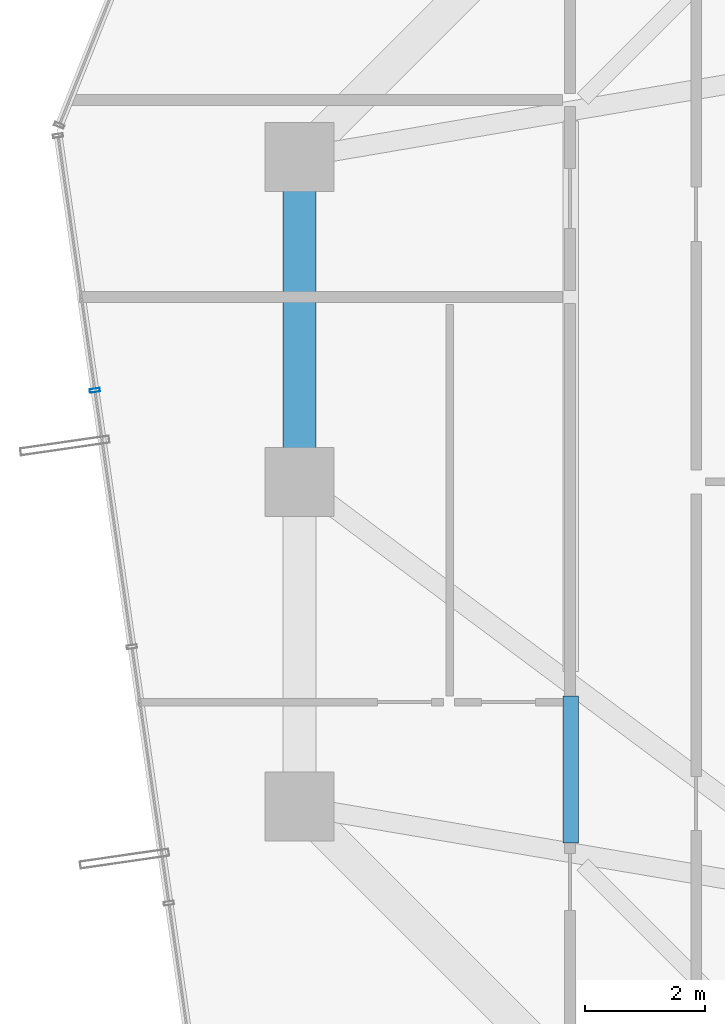
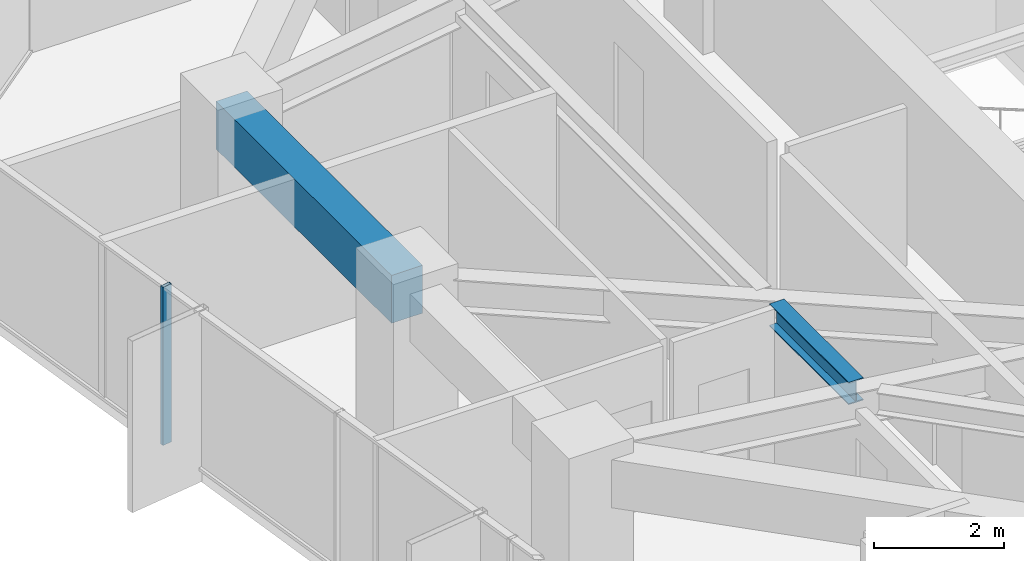
# One storey, part 10 of 34: 2 beams, 1 member, 1 element without a shape of its own.
"""IFC4 building model written with IfcOpenShell, lengths in metres."""

from ifc_helpers import new_model, si_unit, direction, frame, origin, origin_2d, place, context, subcontext, project, spatial, rectangle, hollow_rectangle, i_section, extrude, source, transform, mapped, material, layer, layer_set, material_profile, profile_set, type_object, element, aggregate, save


model = new_model("IFC4")

# Units and contexts
model_context = context("Model", 3, precision=1e-05, world=origin(), true_north=direction((0.0, 1.0)))
body_context = subcontext(model_context, "Body", "Model", "MODEL_VIEW")
ifc_project = project(units=[si_unit("LENGTHUNIT", "METRE"), si_unit("AREAUNIT", "SQUARE_METRE"), si_unit("VOLUMEUNIT", "CUBIC_METRE"), si_unit("PLANEANGLEUNIT", "RADIAN"), si_unit("MASSUNIT", "GRAM", prefix="KILO")], contexts=[model_context])

# Site, building, storey
site_placement = place(None, origin())
site = spatial("IfcSite", under=ifc_project, at=site_placement, CompositionType="ELEMENT")
building_placement = place(site_placement, origin())
building = spatial("IfcBuilding", under=site, at=building_placement, Name="Veraguas Prism Commons", CompositionType="ELEMENT")
storey_placement = place(building_placement, frame((0.0, 0.0, 155.5)))
storey = spatial("IfcBuildingStorey", under=building, at=storey_placement, Name="L44", CompositionType="ELEMENT", Elevation=155.5)

# Beams
ifc_material_1 = material(Name="Steel ASTM A992 Grade 50", Category="steel")
ifc_material_profile_1 = material_profile(ifc_material_1, i_section(OverallWidth=0.260986328125, OverallDepth=0.419921875, WebThickness=0.01171875, FlangeThickness=0.019287109375, at=origin_2d()), Name="W410X114")
ifc_profile_set_1 = profile_set([ifc_material_profile_1], Name="Steel ASTM A992 Grade 50")
beam_type_1 = type_object("IfcBeamType", Name="Lower Floor Joist W410x114", PredefinedType="JOIST", material=ifc_profile_set_1)
beam_1_placement = place(storey_placement, frame((12.31201171875, 20.43798828125, 2.760009765625), z_axis=(0.0, -1.0, 0.0), x_axis=(1.0, 0.0, 0.0)))
element("IfcBeam", 1, at=beam_1_placement, inside=storey, type_object=beam_type_1, Name="Composite Floor Joist L44-JS08", PredefinedType="JOIST", context=body_context, shape_type="SweptSolid", body=[
    extrude(i_section(OverallWidth=0.260986328125, OverallDepth=0.419921875, WebThickness=0.01171875, FlangeThickness=0.019287109375, at=origin_2d()), origin(), (0.0, 0.0, 1.0), 2.441650390625),
])
ifc_material_2 = material(Name="Concrete C50/60", Category="concrete")
ifc_material_profile_2 = material_profile(ifc_material_2, rectangle(XDim=0.550048828125, YDim=0.89990234375, at=origin_2d()), Name="RC550X900")
ifc_profile_set_2 = profile_set([ifc_material_profile_2], Name="Concrete C50/60")
beam_type_2 = type_object("IfcBeamType", Name="Perimeter Spandrel Lower RC 550x900", PredefinedType="SPANDREL", material=ifc_profile_set_2)
beam_2_placement = place(storey_placement, frame((7.800048828125, 29.39990234375, 2.52001953125), z_axis=(0.0, -1.0, 0.0), x_axis=(1.0, 0.0, 0.0)))
element("IfcBeam", 2, at=beam_2_placement, inside=storey, type_object=beam_type_2, Name="Perimeter Spandrel Beam L44-SP07", PredefinedType="SPANDREL", context=body_context, shape_type="SweptSolid", body=[
    extrude(rectangle(XDim=0.550048828125, YDim=0.89990234375, at=origin_2d()), origin(), (0.0, 0.0, 1.0), 5.39990234375),
])

# Curtain wall, member
ifc_material_3 = material(Name="Anodised aluminium EN AW-6063 T6", Category="aluminium")
ifc_layer = layer(ifc_material_3, 0.169921875, Name="Unitised Flush Curtain Wall Zone 2", Category="aluminium")
ifc_layer_set = layer_set([ifc_layer], Name="Anodised aluminium EN AW-6063 T6")
curtain_wall_type = type_object("IfcCurtainWallType", Name="Unitised Flush Curtain Wall Zone 2", PredefinedType="NOTDEFINED", material=ifc_layer_set)
curtain_wall_placement = place(storey_placement, origin())
curtain_wall = element("IfcCurtainWall", 3, at=curtain_wall_placement, inside=storey, type_object=curtain_wall_type, Name="Tower Facade Curtain Wall L44-F3", PredefinedType="NOTDEFINED")
ifc_material_profile_3 = material_profile(ifc_material_3, hollow_rectangle(XDim=0.06005859375, YDim=0.169921875, WallThickness=0.00390625, at=origin_2d()), Name="AL60X170X4")
ifc_profile_set_3 = profile_set([ifc_material_profile_3], Name="Anodised aluminium EN AW-6063 T6")
member_type = type_object("IfcMemberType", Name="Curtain Wall Mullion Lower AL 60x170x4", PredefinedType="MULLION", material=ifc_profile_set_3)
shared_shape = source(origin(), body_context, "Body", "SweptSolid", [
    extrude(hollow_rectangle(XDim=0.06005859375, YDim=0.169921875, WallThickness=0.00390625, at=origin_2d()), origin(), (0.0, 0.0, 1.0), 2.969970703125),
])
member_placement = place(storey_placement, frame((4.398681640625, 25.521728515625, 0.0), z_axis=(0.0, 0.0, 1.0), x_axis=(0.142970967293, -0.989726882787, 0.0)))
member = element("IfcMember", 4, at=member_placement, type_object=member_type, Name="CW-Z2 Mullion 2", PredefinedType="MULLION", context=body_context, shape_type="MappedRepresentation", body=[
    mapped(shared_shape, transform((0.0, 0.0, 0.0), scale=1.0)),
])
aggregate(curtain_wall, [member])

save(model, "model.ifc")
